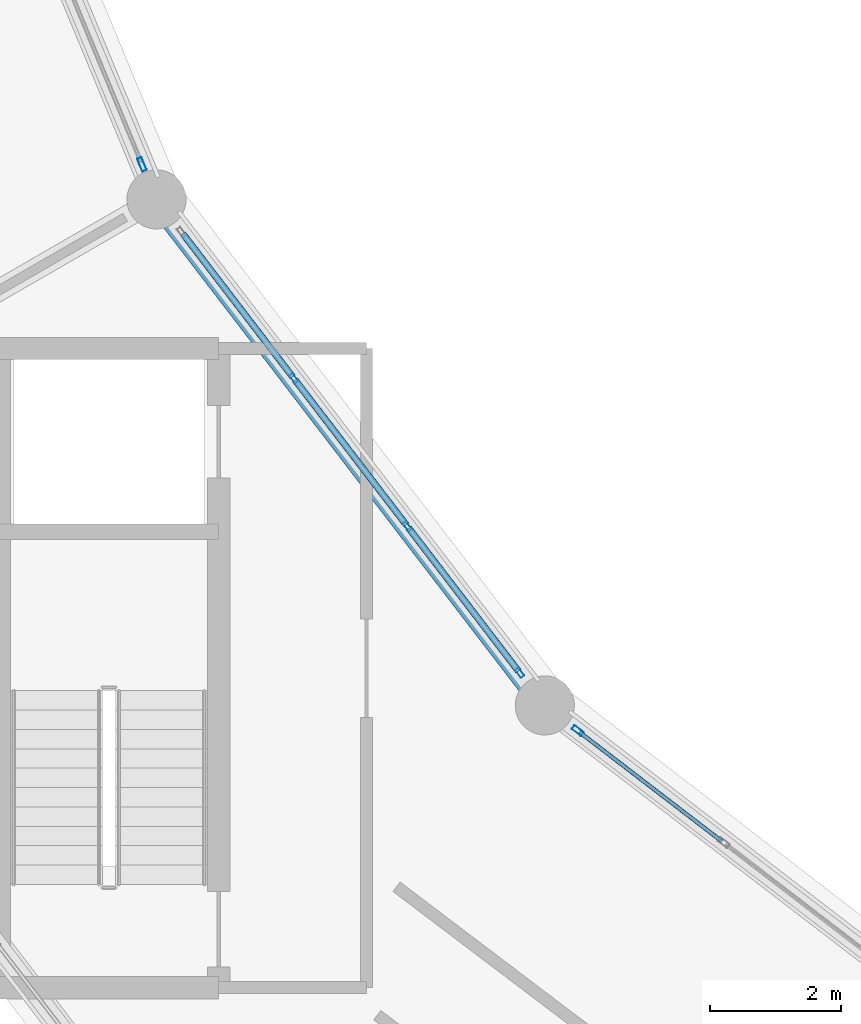
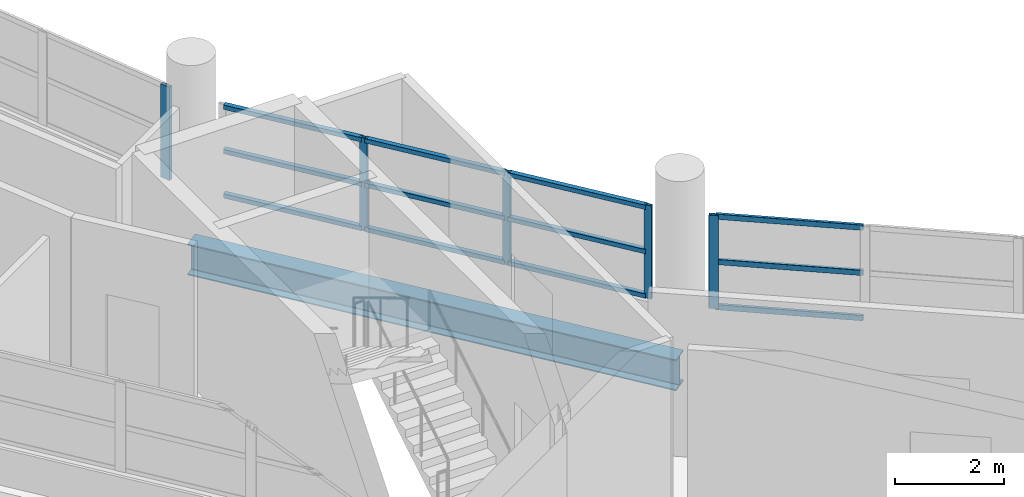
# One storey, part 18 of 88: 17 members, 1 beam, 3 elements without a shape of their own.
"""IFC4 building model written with IfcOpenShell, lengths in metres."""

from ifc_helpers import new_model, si_unit, direction, frame, origin, origin_2d, place, context, subcontext, project, spatial, hollow_rectangle, i_section, extrude, material, layer, layer_set, material_profile, profile_set, type_object, element, aggregate, save


model = new_model("IFC4")

# Units and contexts
model_context = context("Model", 3, precision=1e-05, world=origin(), true_north=direction((0.0, 1.0)))
body_context = subcontext(model_context, "Body", "Model", "MODEL_VIEW")
ifc_project = project(units=[si_unit("LENGTHUNIT", "METRE"), si_unit("AREAUNIT", "SQUARE_METRE"), si_unit("VOLUMEUNIT", "CUBIC_METRE"), si_unit("PLANEANGLEUNIT", "RADIAN"), si_unit("MASSUNIT", "GRAM", prefix="KILO")], contexts=[model_context])

# Site, building, storey
site_placement = place(None, origin())
site = spatial("IfcSite", under=ifc_project, at=site_placement, CompositionType="ELEMENT")
building_placement = place(site_placement, origin())
building = spatial("IfcBuilding", under=site, at=building_placement, Name="Vespera Passage Community Centre", CompositionType="ELEMENT")
storey_placement = place(building_placement, frame((0.0, 0.0, 16.5)))
storey = spatial("IfcBuildingStorey", under=building, at=storey_placement, Name="L04", CompositionType="ELEMENT", Elevation=16.5)

# Beam
ifc_material_1 = material(Name="Steel ASTM A992 Grade 50", Category="steel")
ifc_material_profile_1 = material_profile(ifc_material_1, i_section(OverallWidth=0.3544921875, OverallDepth=0.695556640625, WebThickness=0.015380859375, FlangeThickness=0.024658203125, FilletRadius=0.01513671875, at=origin_2d()), Name="W27X146")
ifc_profile_set_1 = profile_set([ifc_material_profile_1], Name="Steel ASTM A992 Grade 50")
beam_type = type_object("IfcBeamType", Name="BM-SP-W27X146E", PredefinedType="SPANDREL", material=ifc_profile_set_1)
beam_placement = place(storey_placement, frame((45.783935546875, 46.89990234375, -0.647705078125), z_axis=(0.60875291963, -0.793359869694, 0.0), x_axis=(0.793359869694, 0.60875291963, 0.0)))
element("IfcBeam", 1, at=beam_placement, inside=storey, type_object=beam_type, Name="V4 L04 Inner Spandrel 14", PredefinedType="SPANDREL", context=body_context, shape_type="SweptSolid", body=[
    extrude(i_section(OverallWidth=0.3544921875, OverallDepth=0.695556640625, WebThickness=0.015380859375, FlangeThickness=0.024658203125, FilletRadius=0.01513671875, at=origin_2d()), origin(), (0.0, 0.0, 1.0), 9.7109375),
])

# Curtain wall, members
ifc_material_2 = material(Name="Anodized aluminium 6063-T6", Category="aluminium")
ifc_layer_1 = layer(ifc_material_2, 0.159912109375)
ifc_layer_set_1 = layer_set([ifc_layer_1], Name="Anodized aluminium 6063-T6")
curtain_wall_type_1 = type_object("IfcCurtainWallType", Name="CW-61E", PredefinedType="NOTDEFINED", material=ifc_layer_set_1)
curtain_wall_1_placement = place(storey_placement, origin())
curtain_wall_1 = element("IfcCurtainWall", 2, at=curtain_wall_1_placement, inside=storey, type_object=curtain_wall_type_1, Name="V4 L04 Inner Court Curtain Wall 14", PredefinedType="NOTDEFINED")
ifc_material_3 = material(Name="Anodized aluminium 6063-T6", Category="aluminium")
ifc_material_profile_2 = material_profile(ifc_material_3, hollow_rectangle(XDim=0.06494140625, YDim=0.14990234375, WallThickness=0.00390625, InnerFilletRadius=0.001953125, OuterFilletRadius=0.00390625, at=origin_2d()), Name="ALU150X65X4")
ifc_profile_set_2 = profile_set([ifc_material_profile_2], Name="Anodized aluminium 6063-T6")
member_type_1 = type_object("IfcMemberType", Name="MB-CWM-150E", PredefinedType="MULLION", material=ifc_profile_set_2)
member_1_placement = place(storey_placement, frame((47.874755859375, 44.175048828125, 0.820068359375), z_axis=(0.0, 0.0, 1.0), x_axis=(0.793358205999, 0.608755087843, 0.0)))
member_1 = element("IfcMember", 3, at=member_1_placement, type_object=member_type_1, Name="CW-61E mullion 2", PredefinedType="MULLION", context=body_context, shape_type="SweptSolid", body=[
    extrude(hollow_rectangle(XDim=0.06494140625, YDim=0.14990234375, WallThickness=0.00390625, InnerFilletRadius=0.001953125, OuterFilletRadius=0.00390625, at=origin_2d()), origin(), (0.0, 0.0, 1.0), 2.08935546875),
])
member_2_placement = place(storey_placement, frame((49.604736328125, 41.920654296875, 0.820068359375), z_axis=(0.0, 0.0, 1.0), x_axis=(0.793358205999, 0.608755087843, 0.0)))
member_2 = element("IfcMember", 4, at=member_2_placement, type_object=member_type_1, Name="CW-61E mullion 3", PredefinedType="MULLION", context=body_context, shape_type="SweptSolid", body=[
    extrude(hollow_rectangle(XDim=0.06494140625, YDim=0.14990234375, WallThickness=0.00390625, InnerFilletRadius=0.001953125, OuterFilletRadius=0.00390625, at=origin_2d()), origin(), (0.0, 0.0, 1.0), 2.08935546875),
])
member_3_placement = place(storey_placement, frame((51.314697265625, 39.69189453125, 0.820068359375), z_axis=(0.0, 0.0, 1.0), x_axis=(0.793358205999, 0.608755087843, 0.0)))
member_3 = element("IfcMember", 5, at=member_3_placement, type_object=member_type_1, Name="CW-61E mullion 4", PredefinedType="MULLION", context=body_context, shape_type="SweptSolid", body=[
    extrude(hollow_rectangle(XDim=0.06494140625, YDim=0.14990234375, WallThickness=0.00390625, InnerFilletRadius=0.001953125, OuterFilletRadius=0.00390625, at=origin_2d()), origin(), (0.0, 0.0, 1.0), 2.08935546875),
])

# Curtain wall, member
ifc_material_4 = material(Name="Anodized aluminium 6063-T6", Category="aluminium")
ifc_layer_2 = layer(ifc_material_4, 0.159912109375)
ifc_layer_set_2 = layer_set([ifc_layer_2], Name="Anodized aluminium 6063-T6")
curtain_wall_type_2 = type_object("IfcCurtainWallType", Name="CW-54E", PredefinedType="NOTDEFINED", material=ifc_layer_set_2)
curtain_wall_2_placement = place(storey_placement, origin())
curtain_wall_2 = element("IfcCurtainWall", 6, at=curtain_wall_2_placement, inside=storey, type_object=curtain_wall_type_2, Name="V4 L04 Inner Court Curtain Wall 15", PredefinedType="NOTDEFINED")
ifc_material_5 = material(Name="Anodized aluminium 6063-T6", Category="aluminium")
ifc_material_profile_3 = material_profile(ifc_material_5, hollow_rectangle(XDim=0.074951171875, YDim=0.179931640625, WallThickness=0.0048828125, InnerFilletRadius=0.00244140625, OuterFilletRadius=0.0048828125, at=origin_2d()), Name="ALU180X75X5")
ifc_profile_set_3 = profile_set([ifc_material_profile_3], Name="Anodized aluminium 6063-T6")
member_type_2 = type_object("IfcMemberType", Name="MB-CWM-180E", PredefinedType="MULLION", material=ifc_profile_set_3)
member_4_placement = place(storey_placement, frame((52.196044921875, 38.811767578125, 0.820068359375), z_axis=(0.0, 0.0, 1.0), x_axis=(0.608755087843, 0.793358205999, 0.0)))
member_4 = element("IfcMember", 7, at=member_4_placement, type_object=member_type_2, Name="CW-54E mullion 1", PredefinedType="MULLION", context=body_context, shape_type="SweptSolid", body=[
    extrude(hollow_rectangle(XDim=0.074951171875, YDim=0.179931640625, WallThickness=0.0048828125, InnerFilletRadius=0.00244140625, OuterFilletRadius=0.0048828125, at=origin_2d()), origin(), (0.0, 0.0, 1.0), 2.08935546875),
])

ifc_material_6 = material(Name="Anodized aluminium 6063-T6", Category="aluminium")
ifc_layer_3 = layer(ifc_material_6, 0.159912109375)
ifc_layer_set_3 = layer_set([ifc_layer_3], Name="Anodized aluminium 6063-T6")
curtain_wall_type_3 = type_object("IfcCurtainWallType", Name="CW-56E", PredefinedType="NOTDEFINED", material=ifc_layer_set_3)
curtain_wall_3_placement = place(storey_placement, origin())
curtain_wall_3 = element("IfcCurtainWall", 8, at=curtain_wall_3_placement, inside=storey, type_object=curtain_wall_type_3, Name="V4 L04 Inner Court Curtain Wall 13", PredefinedType="NOTDEFINED")
ifc_material_7 = material(Name="Anodized aluminium 6063-T6", Category="aluminium")
ifc_material_profile_4 = material_profile(ifc_material_7, hollow_rectangle(XDim=0.074951171875, YDim=0.2099609375, WallThickness=0.0048828125, InnerFilletRadius=0.00244140625, OuterFilletRadius=0.0048828125, at=origin_2d()), Name="ALU210X75X5")
ifc_profile_set_4 = profile_set([ifc_material_profile_4], Name="Anodized aluminium 6063-T6")
member_type_3 = type_object("IfcMemberType", Name="MB-CWM-210E", PredefinedType="MULLION", material=ifc_profile_set_4)
member_5_placement = place(storey_placement, frame((45.56298828125, 47.433349609375, 0.820068359375), z_axis=(0.0, 0.0, 1.0), x_axis=(0.923876620096, 0.382690463482, 0.0)))
member_5 = element("IfcMember", 9, at=member_5_placement, type_object=member_type_3, Name="CW-56E mullion 4", PredefinedType="MULLION", context=body_context, shape_type="SweptSolid", body=[
    extrude(hollow_rectangle(XDim=0.074951171875, YDim=0.2099609375, WallThickness=0.0048828125, InnerFilletRadius=0.00244140625, OuterFilletRadius=0.0048828125, at=origin_2d()), origin(), (0.0, 0.0, 1.0), 2.08935546875),
])
aggregate(curtain_wall_3, [member_5])

# Member
ifc_material_8 = material(Name="Anodized aluminium 6063-T6", Category="aluminium")
ifc_material_profile_5 = material_profile(ifc_material_8, hollow_rectangle(XDim=0.10009765625, YDim=0.10009765625, WallThickness=0.00390625, InnerFilletRadius=0.001953125, OuterFilletRadius=0.00390625, at=origin_2d()), Name="ALU100X100X4")
ifc_profile_set_5 = profile_set([ifc_material_profile_5], Name="Anodized aluminium 6063-T6")
member_type_4 = type_object("IfcMemberType", Name="MB-CWT-100E", PredefinedType="USERDEFINED", material=ifc_profile_set_5)
member_6_placement = place(storey_placement, frame((46.1845703125, 46.3779296875, 0.8701171875), z_axis=(0.608704195162, -0.793397254086, 0.0), x_axis=(0.793397254086, 0.608704195162, 0.0)))
member_6 = element("IfcMember", 10, at=member_6_placement, type_object=member_type_4, Name="CW-61E transom 1.1", ObjectType="TRANSOM", PredefinedType="USERDEFINED", context=body_context, shape_type="SweptSolid", body=[
    extrude(hollow_rectangle(XDim=0.10009765625, YDim=0.10009765625, WallThickness=0.00390625, InnerFilletRadius=0.001953125, OuterFilletRadius=0.00390625, at=origin_2d()), origin(), (0.0, 0.0, 1.0), 2.744140625),
])

member_7_placement = place(storey_placement, frame((46.1845703125, 46.3779296875, 1.86474609375), z_axis=(0.608704195162, -0.793397254086, 0.0), x_axis=(0.793397254086, 0.608704195162, 0.0)))
member_7 = element("IfcMember", 11, at=member_7_placement, type_object=member_type_4, Name="CW-61E transom 1.2", ObjectType="TRANSOM", PredefinedType="USERDEFINED", context=body_context, shape_type="SweptSolid", body=[
    extrude(hollow_rectangle(XDim=0.10009765625, YDim=0.10009765625, WallThickness=0.00390625, InnerFilletRadius=0.001953125, OuterFilletRadius=0.00390625, at=origin_2d()), origin(), (0.0, 0.0, 1.0), 2.744140625),
])

member_8_placement = place(storey_placement, frame((46.1845703125, 46.3779296875, 2.859375), z_axis=(0.608704195162, -0.793397254086, 0.0), x_axis=(0.793397254086, 0.608704195162, 0.0)))
member_8 = element("IfcMember", 12, at=member_8_placement, type_object=member_type_4, Name="CW-61E transom 1.3", ObjectType="TRANSOM", PredefinedType="USERDEFINED", context=body_context, shape_type="SweptSolid", body=[
    extrude(hollow_rectangle(XDim=0.10009765625, YDim=0.10009765625, WallThickness=0.00390625, InnerFilletRadius=0.001953125, OuterFilletRadius=0.00390625, at=origin_2d()), origin(), (0.0, 0.0, 1.0), 2.744140625),
])

member_9_placement = place(storey_placement, frame((47.89453125, 44.149169921875, 0.8701171875), z_axis=(0.60878404001, -0.793335989748, 0.0), x_axis=(0.793335989748, 0.60878404001, 0.0)))
member_9 = element("IfcMember", 13, at=member_9_placement, type_object=member_type_4, Name="CW-61E transom 2.1", ObjectType="TRANSOM", PredefinedType="USERDEFINED", context=body_context, shape_type="SweptSolid", body=[
    extrude(hollow_rectangle(XDim=0.10009765625, YDim=0.10009765625, WallThickness=0.00390625, InnerFilletRadius=0.001953125, OuterFilletRadius=0.00390625, at=origin_2d()), origin(), (0.0, 0.0, 1.0), 2.776611328125),
])

member_10_placement = place(storey_placement, frame((47.89453125, 44.149169921875, 1.86474609375), z_axis=(0.60878404001, -0.793335989748, 0.0), x_axis=(0.793335989748, 0.60878404001, 0.0)))
member_10 = element("IfcMember", 14, at=member_10_placement, type_object=member_type_4, Name="CW-61E transom 2.2", ObjectType="TRANSOM", PredefinedType="USERDEFINED", context=body_context, shape_type="SweptSolid", body=[
    extrude(hollow_rectangle(XDim=0.10009765625, YDim=0.10009765625, WallThickness=0.00390625, InnerFilletRadius=0.001953125, OuterFilletRadius=0.00390625, at=origin_2d()), origin(), (0.0, 0.0, 1.0), 2.776611328125),
])

member_11_placement = place(storey_placement, frame((47.89453125, 44.149169921875, 2.859375), z_axis=(0.60878404001, -0.793335989748, 0.0), x_axis=(0.793335989748, 0.60878404001, 0.0)))
member_11 = element("IfcMember", 15, at=member_11_placement, type_object=member_type_4, Name="CW-61E transom 2.3", ObjectType="TRANSOM", PredefinedType="USERDEFINED", context=body_context, shape_type="SweptSolid", body=[
    extrude(hollow_rectangle(XDim=0.10009765625, YDim=0.10009765625, WallThickness=0.00390625, InnerFilletRadius=0.001953125, OuterFilletRadius=0.00390625, at=origin_2d()), origin(), (0.0, 0.0, 1.0), 2.776611328125),
])

member_12_placement = place(storey_placement, frame((49.62451171875, 41.894775390625, 0.8701171875), z_axis=(0.608747162837, -0.793364286906, 0.0), x_axis=(0.793364286906, 0.608747162837, 0.0)))
member_12 = element("IfcMember", 16, at=member_12_placement, type_object=member_type_4, Name="CW-61E transom 3.1", ObjectType="TRANSOM", PredefinedType="USERDEFINED", context=body_context, shape_type="SweptSolid", body=[
    extrude(hollow_rectangle(XDim=0.10009765625, YDim=0.10009765625, WallThickness=0.00390625, InnerFilletRadius=0.001953125, OuterFilletRadius=0.00390625, at=origin_2d()), origin(), (0.0, 0.0, 1.0), 2.743896484375),
])

member_13_placement = place(storey_placement, frame((49.62451171875, 41.894775390625, 1.86474609375), z_axis=(0.608747162837, -0.793364286906, 0.0), x_axis=(0.793364286906, 0.608747162837, 0.0)))
member_13 = element("IfcMember", 17, at=member_13_placement, type_object=member_type_4, Name="CW-61E transom 3.2", ObjectType="TRANSOM", PredefinedType="USERDEFINED", context=body_context, shape_type="SweptSolid", body=[
    extrude(hollow_rectangle(XDim=0.10009765625, YDim=0.10009765625, WallThickness=0.00390625, InnerFilletRadius=0.001953125, OuterFilletRadius=0.00390625, at=origin_2d()), origin(), (0.0, 0.0, 1.0), 2.743896484375),
])

member_14_placement = place(storey_placement, frame((49.62451171875, 41.894775390625, 2.859375), z_axis=(0.608747162837, -0.793364286906, 0.0), x_axis=(0.793364286906, 0.608747162837, 0.0)))
member_14 = element("IfcMember", 18, at=member_14_placement, type_object=member_type_4, Name="CW-61E transom 3.3", ObjectType="TRANSOM", PredefinedType="USERDEFINED", context=body_context, shape_type="SweptSolid", body=[
    extrude(hollow_rectangle(XDim=0.10009765625, YDim=0.10009765625, WallThickness=0.00390625, InnerFilletRadius=0.001953125, OuterFilletRadius=0.00390625, at=origin_2d()), origin(), (0.0, 0.0, 1.0), 2.743896484375),
])

aggregate(curtain_wall_1, [member_1, member_2, member_3, member_6, member_7, member_8, member_9, member_10, member_11, member_12, member_13, member_14])

ifc_material_9 = material(Name="Anodized aluminium 6063-T6", Category="aluminium")
ifc_material_profile_6 = material_profile(ifc_material_9, hollow_rectangle(XDim=0.06005859375, YDim=0.1201171875, WallThickness=0.00390625, InnerFilletRadius=0.001953125, OuterFilletRadius=0.00390625, at=origin_2d()), Name="ALU120X60X4")
ifc_profile_set_6 = profile_set([ifc_material_profile_6], Name="Anodized aluminium 6063-T6")
member_type_5 = type_object("IfcMemberType", Name="MB-CWT-120E", PredefinedType="USERDEFINED", material=ifc_profile_set_6)
member_15_placement = place(storey_placement, frame((52.2255859375, 38.788818359375, 0.85009765625), z_axis=(0.793371617318, -0.608737609183, 0.0), x_axis=(0.608737609183, 0.793371617318, 0.0)))
member_15 = element("IfcMember", 19, at=member_15_placement, type_object=member_type_5, Name="CW-54E transom 1.1", ObjectType="TRANSOM", PredefinedType="USERDEFINED", context=body_context, shape_type="SweptSolid", body=[
    extrude(hollow_rectangle(XDim=0.06005859375, YDim=0.1201171875, WallThickness=0.00390625, InnerFilletRadius=0.001953125, OuterFilletRadius=0.00390625, at=origin_2d()), origin(), (0.0, 0.0, 1.0), 2.729248046875),
])

member_16_placement = place(storey_placement, frame((52.2255859375, 38.788818359375, 1.86474609375), z_axis=(0.793371617318, -0.608737609183, 0.0), x_axis=(0.608737609183, 0.793371617318, 0.0)))
member_16 = element("IfcMember", 20, at=member_16_placement, type_object=member_type_5, Name="CW-54E transom 1.2", ObjectType="TRANSOM", PredefinedType="USERDEFINED", context=body_context, shape_type="SweptSolid", body=[
    extrude(hollow_rectangle(XDim=0.06005859375, YDim=0.1201171875, WallThickness=0.00390625, InnerFilletRadius=0.001953125, OuterFilletRadius=0.00390625, at=origin_2d()), origin(), (0.0, 0.0, 1.0), 2.729248046875),
])

member_17_placement = place(storey_placement, frame((52.2255859375, 38.788818359375, 2.87939453125), z_axis=(0.793371617318, -0.608737609183, 0.0), x_axis=(0.608737609183, 0.793371617318, 0.0)))
member_17 = element("IfcMember", 21, at=member_17_placement, type_object=member_type_5, Name="CW-54E transom 1.3", ObjectType="TRANSOM", PredefinedType="USERDEFINED", context=body_context, shape_type="SweptSolid", body=[
    extrude(hollow_rectangle(XDim=0.06005859375, YDim=0.1201171875, WallThickness=0.00390625, InnerFilletRadius=0.001953125, OuterFilletRadius=0.00390625, at=origin_2d()), origin(), (0.0, 0.0, 1.0), 2.729248046875),
])

aggregate(curtain_wall_2, [member_4, member_15, member_16, member_17])

save(model, "model.ifc")
